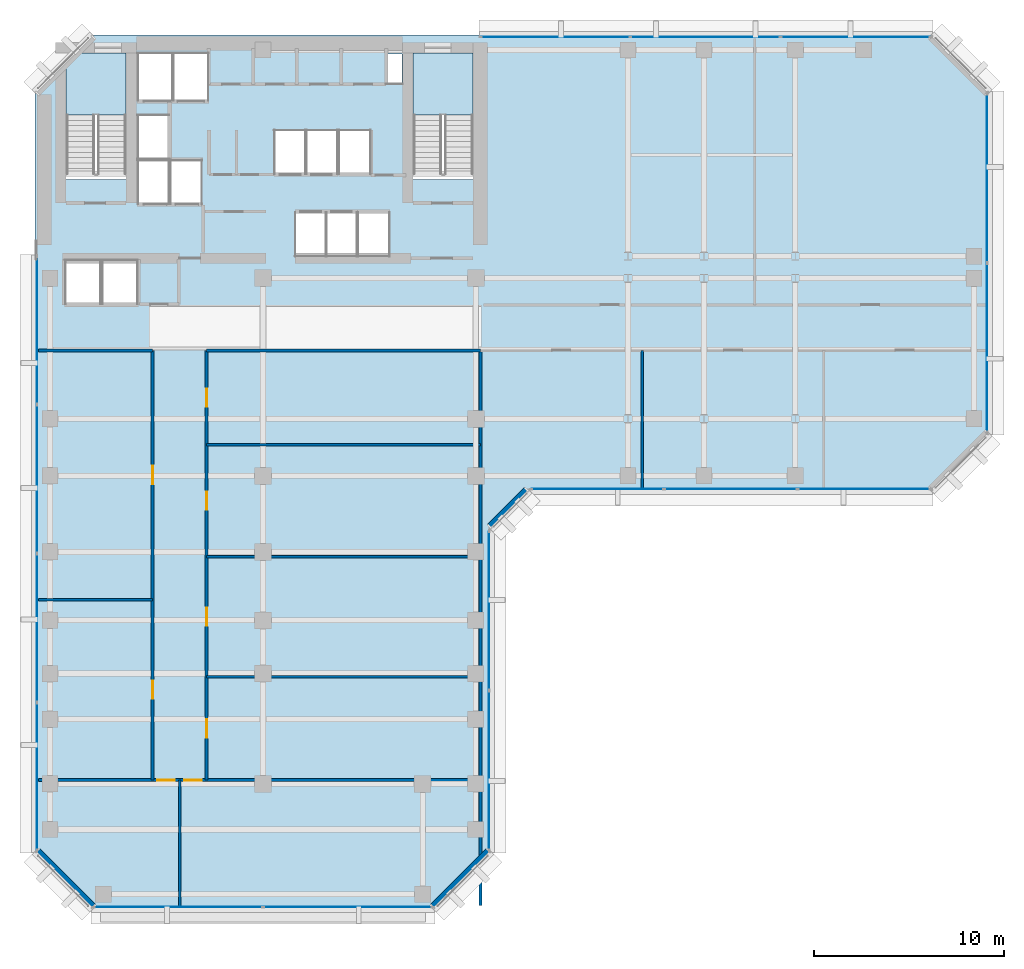
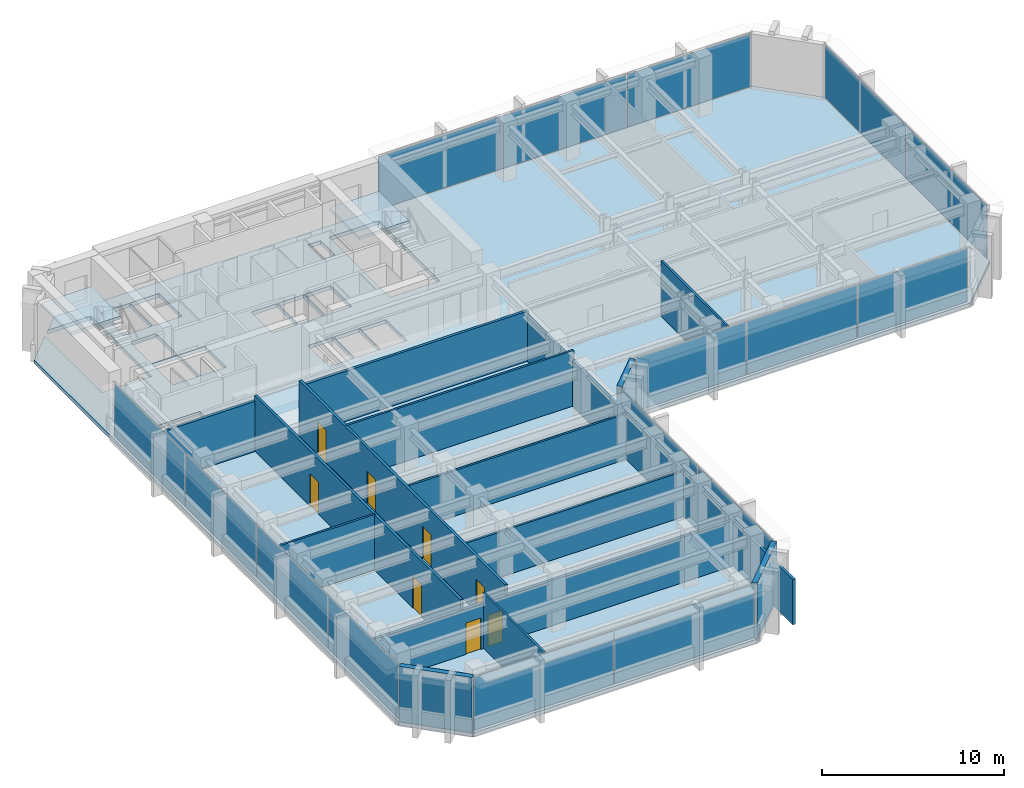
# One storey, part 6 of 11: 16 plates, 15 walls, 8 doors, 3 slabs, 8 openings, 8 elements without a shape of their own.
"""IFC4 building model written with IfcOpenShell, lengths in metres."""

from ifc_helpers import new_model, si_unit, direction, frame, frame_2d, origin, origin_2d, place, context, subcontext, project, spatial, polyline, rectangle, outline, extrude, material, layer, layer_set, type_object, element, fill, aggregate, save


model = new_model("IFC4")

# Units and contexts
model_context = context("Model", 3, precision=1e-05, world=origin(), true_north=direction((0.0, 1.0)))
body_context = subcontext(model_context, "Body", "Model", "MODEL_VIEW")
ifc_project = project(units=[si_unit("LENGTHUNIT", "METRE"), si_unit("AREAUNIT", "SQUARE_METRE"), si_unit("VOLUMEUNIT", "CUBIC_METRE"), si_unit("PLANEANGLEUNIT", "RADIAN"), si_unit("MASSUNIT", "GRAM", prefix="KILO")], contexts=[model_context])

# Site, building, storey
site_placement = place(None, origin())
site = spatial("IfcSite", under=ifc_project, at=site_placement, CompositionType="ELEMENT")
building_placement = place(site_placement, origin())
building = spatial("IfcBuilding", under=site, at=building_placement, Name="Kefirva Bronze Tower", CompositionType="ELEMENT")
storey_placement = place(building_placement, frame((0.0, 0.0, 142.889892578125)))
storey = spatial("IfcBuildingStorey", under=building, at=storey_placement, Name="L34", CompositionType="ELEMENT", Elevation=142.889892578125)

# Stair, slab
ifc_material_1 = material(Name="Concrete C40/50", Category="concrete")
stair_type = type_object("IfcStairType", Name="RC Dogleg Protected Stair 24R", PredefinedType="HALF_TURN_STAIR", material=ifc_material_1)
stair_1_placement = place(storey_placement, origin())
stair_1 = element("IfcStair", 1, at=stair_1_placement, inside=storey, type_object=stair_type, Name="L34 Protected Exit Stair 1", PredefinedType="HALF_TURN_STAIR")
ifc_layer_1 = layer(ifc_material_1, 0.199951171875, Name="Concrete C40/50")
ifc_layer_set_1 = layer_set([ifc_layer_1], Name="Concrete C40/50")
slab_type_1 = type_object("IfcSlabType", Name="RC Stair Landing Slab 200mm", PredefinedType="LANDING", material=ifc_layer_set_1)
slab_1_placement = place(storey_placement, frame((0.0, 0.0, 1.780029296875)))
slab_1 = element("IfcSlab", 2, at=slab_1_placement, type_object=slab_type_1, Name="ST-1 landing 1", PredefinedType="LANDING", context=body_context, shape_type="SweptSolid", body=[
    extrude(outline(polyline([(4.800048828125, 41.780029296875), (4.800048828125, 45.050048828125), (1.64990234375, 45.050048828125), (1.64990234375, 41.780029296875), (4.800048828125, 41.780029296875)])), origin(), (0.0, 0.0, 1.0), 0.2001953125),
])
aggregate(stair_1, [slab_1])

stair_2_placement = place(storey_placement, origin())
stair_2 = element("IfcStair", 3, at=stair_2_placement, inside=storey, type_object=stair_type, Name="L34 Protected Exit Stair 2", PredefinedType="HALF_TURN_STAIR")
slab_2_placement = place(storey_placement, frame((0.0, 0.0, 1.780029296875)))
slab_2 = element("IfcSlab", 4, at=slab_2_placement, type_object=slab_type_1, Name="ST-2 landing 1", PredefinedType="LANDING", context=body_context, shape_type="SweptSolid", body=[
    extrude(outline(polyline([(23.050048828125, 41.780029296875), (23.050048828125, 45.050048828125), (19.89990234375, 45.050048828125), (19.89990234375, 41.780029296875), (23.050048828125, 41.780029296875)])), origin(), (0.0, 0.0, 1.0), 0.2001953125),
])
aggregate(stair_2, [slab_2])

# Slab
ifc_layer_2 = layer(ifc_material_1, 0.25, Name="Concrete C40/50")
ifc_layer_set_2 = layer_set([ifc_layer_2], Name="Concrete C40/50")
slab_type_2 = type_object("IfcSlabType", Name="RC Tower Floor Slab 250mm", PredefinedType="FLOOR", material=ifc_layer_set_2)
slab_3_placement = place(storey_placement, frame((0.0, 0.0, -0.25)))
element("IfcSlab", 5, at=slab_3_placement, inside=storey, type_object=slab_type_2, Name="L34 Structural Floor Slab", PredefinedType="FLOOR", context=body_context, shape_type="SweptSolid", body=[
    extrude(outline(polyline([(0.0, 3.0), (0.0, 43.0), (1.64990234375, 44.64990234375), (1.64990234375, 38.39990234375), (4.800048828125, 38.39990234375), (4.800048828125, 45.050048828125), (2.050048828125, 45.050048828125), (3.0, 46.0), (47.199951171875, 46.0), (50.199951171875, 43.0), (50.199951171875, 25.0), (47.199951171875, 22.0), (26.0, 22.0), (24.0, 20.0), (24.0, 3.0), (21.0, 0.0), (3.0, 0.0), (0.0, 3.0)]), holes=[polyline([(23.050048828125, 38.39990234375), (23.050048828125, 45.050048828125), (19.89990234375, 45.050048828125), (19.89990234375, 38.39990234375), (23.050048828125, 38.39990234375)]), polyline([(19.320068359375, 43.419921875), (19.320068359375, 45.0), (18.52001953125, 45.0), (18.52001953125, 43.419921875), (19.320068359375, 43.419921875)]), polyline([(18.64990234375, 34.35009765625), (18.64990234375, 36.64990234375), (17.0, 36.64990234375), (17.0, 34.35009765625), (18.64990234375, 34.35009765625)]), polyline([(17.64990234375, 38.679931640625), (17.64990234375, 40.97998046875), (16.0, 40.97998046875), (16.0, 38.679931640625), (17.64990234375, 38.679931640625)]), polyline([(16.949951171875, 34.35009765625), (16.949951171875, 36.64990234375), (15.35009765625, 36.64990234375), (15.35009765625, 34.35009765625), (16.949951171875, 34.35009765625)]), polyline([(15.929931640625, 38.679931640625), (15.929931640625, 40.97998046875), (14.300048828125, 40.97998046875), (14.300048828125, 38.679931640625), (15.929931640625, 38.679931640625)]), polyline([(15.300048828125, 34.35009765625), (15.300048828125, 36.64990234375), (13.699951171875, 36.64990234375), (13.699951171875, 34.35009765625), (15.300048828125, 34.35009765625)]), polyline([(14.22998046875, 38.679931640625), (14.22998046875, 40.97998046875), (12.60009765625, 40.97998046875), (12.60009765625, 38.679931640625), (14.22998046875, 38.679931640625)]), polyline([(9.1201171875, 42.550048828125), (9.1201171875, 45.050048828125), (7.300048828125, 45.050048828125), (7.300048828125, 42.550048828125), (9.1201171875, 42.550048828125)]), polyline([(8.780029296875, 37.10009765625), (8.780029296875, 39.39990234375), (7.139892578125, 39.39990234375), (7.139892578125, 37.10009765625), (8.780029296875, 37.10009765625)]), polyline([(7.239990234375, 42.550048828125), (7.239990234375, 45.050048828125), (5.419921875, 45.050048828125), (5.419921875, 42.550048828125), (7.239990234375, 42.550048828125)]), polyline([(7.06005859375, 37.10009765625), (7.06005859375, 39.39990234375), (5.419921875, 39.39990234375), (5.419921875, 37.10009765625), (7.06005859375, 37.10009765625)]), polyline([(7.06005859375, 39.47998046875), (7.06005859375, 41.780029296875), (5.419921875, 41.780029296875), (5.419921875, 39.47998046875), (7.06005859375, 39.47998046875)]), polyline([(5.39990234375, 31.85009765625), (5.39990234375, 34.14990234375), (3.550048828125, 34.14990234375), (3.550048828125, 31.85009765625), (5.39990234375, 31.85009765625)]), polyline([(3.449951171875, 31.85009765625), (3.449951171875, 34.14990234375), (1.60009765625, 34.14990234375), (1.60009765625, 31.85009765625), (3.449951171875, 31.85009765625)])]), origin(), (0.0, 0.0, 1.0), 0.25),
])

# Curtain wall, plates
ifc_material_2 = material(Name="Bronze anodised aluminium", Category="aluminium")
ifc_layer_3 = layer(ifc_material_2, 0.199951171875, Name="Bronze anodised aluminium")
ifc_layer_set_3 = layer_set([ifc_layer_3], Name="Bronze anodised aluminium")
curtain_wall_type = type_object("IfcCurtainWallType", Name="Unitised Bronze Ribbon Curtain Wall Zone 2", PredefinedType="USERDEFINED", material=ifc_layer_set_3)
curtain_wall_1_placement = place(storey_placement, origin())
curtain_wall_1 = element("IfcCurtainWall", 6, at=curtain_wall_1_placement, inside=storey, type_object=curtain_wall_type, Name="L34 Curtain Wall 1", ObjectType="UNITISED CURTAIN WALL", PredefinedType="USERDEFINED")
ifc_material_3 = material(Name="Laminated low-E double glazing", Category="glass")
ifc_layer_4 = layer(ifc_material_3, 0.031982421875, Name="Laminated low-E double glazing")
ifc_layer_set_4 = layer_set([ifc_layer_4], Name="Laminated low-E double glazing")
plate_type = type_object("IfcPlateType", Name="Solar-Control Low-E Vision Panel 32mm", PredefinedType="CURTAIN_PANEL", material=ifc_layer_set_4)
plate_1_placement = place(storey_placement, frame((7.546142578125, 0.1201171875, 0.0751953125), z_axis=(0.0, 0.0, 1.0), x_axis=(1.0, 0.0, 0.0)))
plate_1 = element("IfcPlate", 7, at=plate_1_placement, type_object=plate_type, Name="CW-02 panel 1.1", PredefinedType="CURTAIN_PANEL", context=body_context, shape_type="SweptSolid", body=[
    extrude(rectangle(XDim=8.83251953125, YDim=0.031982421875, at=origin_2d()), origin(), (0.0, 0.0, 1.0), 3.56005859375),
])
plate_2_placement = place(storey_placement, frame((16.453857421875, 0.1201171875, 0.0751953125), z_axis=(0.0, 0.0, 1.0), x_axis=(1.0, 0.0, 0.0)))
plate_2 = element("IfcPlate", 8, at=plate_2_placement, type_object=plate_type, Name="CW-02 panel 2.1", PredefinedType="CURTAIN_PANEL", context=body_context, shape_type="SweptSolid", body=[
    extrude(rectangle(XDim=8.83251953125, YDim=0.031982421875, at=origin_2d()), origin(), (0.0, 0.0, 1.0), 3.56005859375),
])
aggregate(curtain_wall_1, [plate_1, plate_2])

curtain_wall_2_placement = place(storey_placement, origin())
curtain_wall_2 = element("IfcCurtainWall", 9, at=curtain_wall_2_placement, inside=storey, type_object=curtain_wall_type, Name="L34 Curtain Wall 2", ObjectType="UNITISED CURTAIN WALL", PredefinedType="USERDEFINED")
plate_3_placement = place(storey_placement, frame((23.8798828125, 7.296142578125, 0.0751953125), z_axis=(0.0, 0.0, 1.0), x_axis=(0.0, 1.0, 0.0)))
plate_3 = element("IfcPlate", 10, at=plate_3_placement, type_object=plate_type, Name="CW-02 panel 1.1", PredefinedType="CURTAIN_PANEL", context=body_context, shape_type="SweptSolid", body=[
    extrude(rectangle(XDim=8.33251953125, YDim=0.031982421875, at=origin_2d()), origin(), (0.0, 0.0, 1.0), 3.56005859375),
])
plate_4_placement = place(storey_placement, frame((23.8798828125, 15.703857421875, 0.0751953125), z_axis=(0.0, 0.0, 1.0), x_axis=(0.0, 1.0, 0.0)))
plate_4 = element("IfcPlate", 11, at=plate_4_placement, type_object=plate_type, Name="CW-02 panel 2.1", PredefinedType="CURTAIN_PANEL", context=body_context, shape_type="SweptSolid", body=[
    extrude(rectangle(XDim=8.33251953125, YDim=0.031982421875, at=origin_2d()), origin(), (0.0, 0.0, 1.0), 3.56005859375),
])
aggregate(curtain_wall_2, [plate_3, plate_4])

curtain_wall_3_placement = place(storey_placement, origin())
curtain_wall_3 = element("IfcCurtainWall", 12, at=curtain_wall_3_placement, inside=storey, type_object=curtain_wall_type, Name="L34 Curtain Wall 3", ObjectType="UNITISED CURTAIN WALL", PredefinedType="USERDEFINED")
plate_5_placement = place(storey_placement, frame((29.5888671875, 22.1201171875, 0.0751953125), z_axis=(0.0, 0.0, 1.0), x_axis=(1.0, 0.0, 0.0)))
plate_5 = element("IfcPlate", 13, at=plate_5_placement, type_object=plate_type, Name="CW-02 panel 1.1", PredefinedType="CURTAIN_PANEL", context=body_context, shape_type="SweptSolid", body=[
    extrude(rectangle(XDim=6.91748046875, YDim=0.031982421875, at=origin_2d()), origin(), (0.0, 0.0, 1.0), 3.56005859375),
])
plate_6_placement = place(storey_placement, frame((36.60009765625, 22.1201171875, 0.0751953125), z_axis=(0.0, 0.0, 1.0), x_axis=(1.0, 0.0, 0.0)))
plate_6 = element("IfcPlate", 14, at=plate_6_placement, type_object=plate_type, Name="CW-02 panel 2.1", PredefinedType="CURTAIN_PANEL", context=body_context, shape_type="SweptSolid", body=[
    extrude(rectangle(XDim=6.955078125, YDim=0.031982421875, at=origin_2d()), origin(), (0.0, 0.0, 1.0), 3.56005859375),
])
plate_7_placement = place(storey_placement, frame((43.611328125, 22.1201171875, 0.0751953125), z_axis=(0.0, 0.0, 1.0), x_axis=(1.0, 0.0, 0.0)))
plate_7 = element("IfcPlate", 15, at=plate_7_placement, type_object=plate_type, Name="CW-02 panel 3.1", PredefinedType="CURTAIN_PANEL", context=body_context, shape_type="SweptSolid", body=[
    extrude(rectangle(XDim=6.91748046875, YDim=0.031982421875, at=origin_2d()), origin(), (0.0, 0.0, 1.0), 3.56005859375),
])
aggregate(curtain_wall_3, [plate_5, plate_6, plate_7])

curtain_wall_4_placement = place(storey_placement, origin())
curtain_wall_4 = element("IfcCurtainWall", 16, at=curtain_wall_4_placement, inside=storey, type_object=curtain_wall_type, Name="L34 Curtain Wall 4", ObjectType="UNITISED CURTAIN WALL", PredefinedType="USERDEFINED")
plate_8_placement = place(storey_placement, frame((50.080078125, 29.546142578125, 0.0751953125), z_axis=(0.0, 0.0, 1.0), x_axis=(0.0, 1.0, 0.0)))
plate_8 = element("IfcPlate", 17, at=plate_8_placement, type_object=plate_type, Name="CW-02 panel 1.1", PredefinedType="CURTAIN_PANEL", context=body_context, shape_type="SweptSolid", body=[
    extrude(rectangle(XDim=8.83251953125, YDim=0.031982421875, at=origin_2d()), origin(), (0.0, 0.0, 1.0), 3.56005859375),
])
plate_9_placement = place(storey_placement, frame((50.080078125, 38.453857421875, 0.0751953125), z_axis=(0.0, 0.0, 1.0), x_axis=(0.0, 1.0, 0.0)))
plate_9 = element("IfcPlate", 18, at=plate_9_placement, type_object=plate_type, Name="CW-02 panel 2.1", PredefinedType="CURTAIN_PANEL", context=body_context, shape_type="SweptSolid", body=[
    extrude(rectangle(XDim=8.83251953125, YDim=0.031982421875, at=origin_2d()), origin(), (0.0, 0.0, 1.0), 3.56005859375),
])
aggregate(curtain_wall_4, [plate_8, plate_9])

curtain_wall_5_placement = place(storey_placement, origin())
curtain_wall_5 = element("IfcCurtainWall", 19, at=curtain_wall_5_placement, inside=storey, type_object=curtain_wall_type, Name="L34 Curtain Wall 5", ObjectType="UNITISED CURTAIN WALL", PredefinedType="USERDEFINED")
plate_10_placement = place(storey_placement, frame((43.169677734375, 45.8798828125, 0.0751953125), z_axis=(0.0, 0.0, 1.0), x_axis=(-1.0, 0.0, 0.0)))
plate_10 = element("IfcPlate", 20, at=plate_10_placement, type_object=plate_type, Name="CW-02 panel 1.1", PredefinedType="CURTAIN_PANEL", context=body_context, shape_type="SweptSolid", body=[
    extrude(rectangle(XDim=7.80078125, YDim=0.031982421875, at=origin_2d()), origin(), (0.0, 0.0, 1.0), 3.56005859375),
])
plate_11_placement = place(storey_placement, frame((35.27490234375, 45.8798828125, 0.0751953125), z_axis=(0.0, 0.0, 1.0), x_axis=(-1.0, 0.0, 0.0)))
plate_11 = element("IfcPlate", 21, at=plate_11_placement, type_object=plate_type, Name="CW-02 panel 2.1", PredefinedType="CURTAIN_PANEL", context=body_context, shape_type="SweptSolid", body=[
    extrude(rectangle(XDim=7.83837890625, YDim=0.031982421875, at=origin_2d()), origin(), (0.0, 0.0, 1.0), 3.56005859375),
])
plate_12_placement = place(storey_placement, frame((27.38037109375, 45.8798828125, 0.0751953125), z_axis=(0.0, 0.0, 1.0), x_axis=(-1.0, 0.0, 0.0)))
plate_12 = element("IfcPlate", 22, at=plate_12_placement, type_object=plate_type, Name="CW-02 panel 3.1", PredefinedType="CURTAIN_PANEL", context=body_context, shape_type="SweptSolid", body=[
    extrude(rectangle(XDim=7.80078125, YDim=0.031982421875, at=origin_2d()), origin(), (0.0, 0.0, 1.0), 3.56005859375),
])
aggregate(curtain_wall_5, [plate_10, plate_11, plate_12])

curtain_wall_6_placement = place(storey_placement, origin())
curtain_wall_6 = element("IfcCurtainWall", 23, at=curtain_wall_6_placement, inside=storey, type_object=curtain_wall_type, Name="L34 Curtain Wall 6", ObjectType="UNITISED CURTAIN WALL", PredefinedType="USERDEFINED")
plate_13_placement = place(storey_placement, frame((0.1201171875, 30.458740234375, 0.0751953125), z_axis=(0.0, 0.0, 1.0), x_axis=(0.0, -1.0, 0.0)))
plate_13 = element("IfcPlate", 24, at=plate_13_placement, type_object=plate_type, Name="CW-02 panel 1.1", PredefinedType="CURTAIN_PANEL", context=body_context, shape_type="SweptSolid", body=[
    extrude(rectangle(XDim=7.722412109375, YDim=0.031982421875, at=origin_2d()), origin(), (0.0, 0.0, 1.0), 3.56005859375),
])
plate_14_placement = place(storey_placement, frame((0.1201171875, 22.642578125, 0.0751953125), z_axis=(0.0, 0.0, 1.0), x_axis=(0.0, -1.0, 0.0)))
plate_14 = element("IfcPlate", 25, at=plate_14_placement, type_object=plate_type, Name="CW-02 panel 2.1", PredefinedType="CURTAIN_PANEL", context=body_context, shape_type="SweptSolid", body=[
    extrude(rectangle(XDim=7.760009765625, YDim=0.031982421875, at=origin_2d()), origin(), (0.0, 0.0, 1.0), 3.56005859375),
])
plate_15_placement = place(storey_placement, frame((0.1201171875, 14.8076171875, 0.0751953125), z_axis=(0.0, 0.0, 1.0), x_axis=(0.0, -1.0, 0.0)))
plate_15 = element("IfcPlate", 26, at=plate_15_placement, type_object=plate_type, Name="CW-02 panel 3.1", PredefinedType="CURTAIN_PANEL", context=body_context, shape_type="SweptSolid", body=[
    extrude(rectangle(XDim=7.760009765625, YDim=0.031982421875, at=origin_2d()), origin(), (0.0, 0.0, 1.0), 3.56005859375),
])
plate_16_placement = place(storey_placement, frame((0.1201171875, 6.9912109375, 0.0751953125), z_axis=(0.0, 0.0, 1.0), x_axis=(0.0, -1.0, 0.0)))
plate_16 = element("IfcPlate", 27, at=plate_16_placement, type_object=plate_type, Name="CW-02 panel 4.1", PredefinedType="CURTAIN_PANEL", context=body_context, shape_type="SweptSolid", body=[
    extrude(rectangle(XDim=7.722412109375, YDim=0.031982421875, at=origin_2d()), origin(), (0.0, 0.0, 1.0), 3.56005859375),
])
aggregate(curtain_wall_6, [plate_13, plate_14, plate_15, plate_16])

# Walls
ifc_material_4 = material(Name="Gypsum acoustic partition")
ifc_layer_5 = layer(ifc_material_4, 0.1298828125, Name="Gypsum acoustic partition")
ifc_layer_set_5 = layer_set([ifc_layer_5], Name="Gypsum acoustic partition")
wall_type_1 = type_object("IfcWallType", Name="Acoustic Office Partition 130mm", PredefinedType="PARTITIONING", material=ifc_layer_set_5)
wall_1_placement = place(storey_placement, frame((7.6201171875, 0.18994140625, 0.0), z_axis=(0.0, 0.0, 1.0), x_axis=(0.0, 1.0, 0.0)))
element("IfcWall", 28, at=wall_1_placement, inside=storey, type_object=wall_type_1, Name="L34 Partition W-L34-CAPDV", PredefinedType="PARTITIONING", context=body_context, shape_type="SweptSolid", body=[
    extrude(rectangle(XDim=6.610107421875, YDim=0.1298828125, at=frame_2d((3.30517578125, 0.0))), origin(), (0.0, 0.0, 1.0), 3.710205078125),
])
wall_2_placement = place(storey_placement, frame((0.18994140625, 16.2919921875, 0.0), z_axis=(0.0, 0.0, 1.0), x_axis=(1.0, 0.0, 0.0)))
element("IfcWall", 29, at=wall_2_placement, inside=storey, type_object=wall_type_1, Name="L34 Partition W-L34-SWD1", PredefinedType="PARTITIONING", context=body_context, shape_type="SweptSolid", body=[
    extrude(rectangle(XDim=6.010009765625, YDim=0.1298828125, at=frame_2d((3.0048828125, 0.0))), origin(), (0.0, 0.0, 1.0), 3.710205078125),
])
for number, where, z_axis, x_axis, name in (
    (30, (9.0400390625, 12.22412109375, 0.0), (0.0, 0.0, 1.0), (1.0, 0.0, 0.0), "L34 Partition W-L34-SED1"),
    (31, (9.0400390625, 18.552001953125, 0.0), (0.0, 0.0, 1.0), (1.0, 0.0, 0.0), "L34 Partition W-L34-SED2"),
):
    element("IfcWall", number, at=place(storey_placement, frame(where, z_axis=z_axis, x_axis=x_axis)), inside=storey, type_object=wall_type_1, Name=name, PredefinedType="PARTITIONING", context=body_context, shape_type="SweptSolid", body=[
        extrude(rectangle(XDim=14.409912109375, YDim=0.1298828125, at=frame_2d((7.205078125, 0.0))), origin(), (0.0, 0.0, 1.0), 3.045166015625),
    ])
wall_3_placement = place(storey_placement, frame((9.0400390625, 24.427978515625, 0.0), z_axis=(0.0, 0.0, 1.0), x_axis=(1.0, 0.0, 0.0)))
element("IfcWall", 32, at=wall_3_placement, inside=storey, type_object=wall_type_1, Name="L34 Partition W-L34-SED3", PredefinedType="PARTITIONING", context=body_context, shape_type="SweptSolid", body=[
    extrude(rectangle(XDim=14.409912109375, YDim=0.1298828125, at=frame_2d((7.205078125, 0.0))), origin(), (0.0, 0.0, 1.0), 3.710205078125),
])
wall_4_placement = place(storey_placement, frame((31.94921875, 22.18994140625, 0.0), z_axis=(0.0, 0.0, 1.0), x_axis=(0.0, 1.0, 0.0)))
element("IfcWall", 33, at=wall_4_placement, inside=storey, type_object=wall_type_1, Name="L34 Partition W-L34-ESD1", PredefinedType="PARTITIONING", context=body_context, shape_type="SweptSolid", body=[
    extrude(rectangle(XDim=7.2099609375, YDim=0.1298828125, at=frame_2d((3.60498046875, 0.0))), origin(), (0.0, 0.0, 1.0), 3.710205078125),
])
ifc_material_5 = material(Name="Precast concrete C40/50", Category="concrete")
ifc_layer_6 = layer(ifc_material_5, 0.320068359375, Name="Precast concrete C40/50")
ifc_layer_set_6 = layer_set([ifc_layer_6], Name="Precast concrete C40/50")
wall_type_2 = type_object("IfcWallType", Name="Precast Insulated Exterior Wall 320mm", PredefinedType="SOLIDWALL", material=ifc_layer_set_6)
wall_5_placement = place(storey_placement, frame((20.92578125, 0.152099609375, 0.0), z_axis=(0.0, 0.0, 1.0), x_axis=(0.707106781187, 0.707106781187, 0.0)))
element("IfcWall", 34, at=wall_5_placement, inside=storey, type_object=wall_type_2, Name="L34 Exterior Facade Wall 1", PredefinedType="SOLIDWALL", context=body_context, shape_type="SweptSolid", body=[
    extrude(rectangle(XDim=4.132568359375, YDim=0.320068359375, at=frame_2d((2.06640625, 0.0))), origin(), (0.0, 0.0, 1.0), 3.710205078125),
])
wall_6_placement = place(storey_placement, frame((23.92578125, 20.152099609375, 0.0), z_axis=(0.0, 0.0, 1.0), x_axis=(0.707106781187, 0.707106781187, 0.0)))
element("IfcWall", 35, at=wall_6_placement, inside=storey, type_object=wall_type_2, Name="L34 Exterior Facade Wall 2", PredefinedType="SOLIDWALL", context=body_context, shape_type="SweptSolid", body=[
    extrude(rectangle(XDim=2.71826171875, YDim=0.320068359375, at=frame_2d((1.359130859375, 0.0))), origin(), (0.0, 0.0, 1.0), 3.710205078125),
])
wall_7_placement = place(storey_placement, frame((0.152099609375, 3.07421875, 0.0), z_axis=(0.0, 0.0, 1.0), x_axis=(0.707106781187, -0.707106781187, 0.0)))
element("IfcWall", 36, at=wall_7_placement, inside=storey, type_object=wall_type_2, Name="L34 Exterior Facade Wall 6", PredefinedType="SOLIDWALL", context=body_context, shape_type="SweptSolid", body=[
    extrude(rectangle(XDim=4.132568359375, YDim=0.320068359375, at=frame_2d((2.06640625, 0.0))), origin(), (0.0, 0.0, 1.0), 3.710205078125),
])

# Wall, openings, doors
ifc_layer_7 = layer(ifc_material_4, 0.159912109375, Name="Gypsum acoustic partition")
ifc_layer_set_7 = layer_set([ifc_layer_7], Name="Gypsum acoustic partition")
wall_type_3 = type_object("IfcWallType", Name="Protected Corridor Partition 160mm", PredefinedType="PARTITIONING", material=ifc_layer_set_7)
wall_8_placement = place(storey_placement, frame((6.199951171875, 6.800048828125, 0.0), z_axis=(0.0, 0.0, 1.0), x_axis=(0.0, 1.0, 0.0)))
wall_8 = element("IfcWall", 37, at=wall_8_placement, inside=storey, type_object=wall_type_3, Name="L34 Partition W-L34-SWCORW", PredefinedType="PARTITIONING", context=body_context, shape_type="SweptSolid", body=[
    extrude(rectangle(XDim=22.599853515625, YDim=0.159912109375, at=frame_2d((11.2998046875, 0.0))), origin(), (0.0, 0.0, 1.0), 3.710205078125),
])
opening_1_placement = place(wall_8_placement, frame((5.220947265625, 0.0, 0.0), z_axis=(0.0, 0.0, 1.0), x_axis=(-1.0, 0.0, 0.0)))
opening_1 = element("IfcOpeningElement", 38, at=opening_1_placement, cuts=wall_8, Name="Opening L34-D-SW1", PredefinedType="OPENING", context=body_context, shape_type="SweptSolid", body=[
    extrude(rectangle(XDim=0.949951171875, YDim=2.14990234375, at=frame_2d((0.47509765625, 1.074951171875))), frame((0.0, 0.08984375, 0.0), z_axis=(0.0, -1.0, 0.0), x_axis=(1.0, 0.0, 0.0)), (0.0, 0.0, 1.0), 0.179931640625),
])
opening_2_placement = place(wall_8_placement, frame((16.52099609375, 0.0, 0.0), z_axis=(0.0, 0.0, 1.0), x_axis=(-1.0, 0.0, 0.0)))
opening_2 = element("IfcOpeningElement", 39, at=opening_2_placement, cuts=wall_8, Name="Opening L34-D-SW2", PredefinedType="OPENING", context=body_context, shape_type="SweptSolid", body=[
    extrude(rectangle(XDim=0.949951171875, YDim=2.14990234375, at=frame_2d((0.47509765625, 1.074951171875))), frame((0.0, 0.08984375, 0.0), z_axis=(0.0, -1.0, 0.0), x_axis=(1.0, 0.0, 0.0)), (0.0, 0.0, 1.0), 0.179931640625),
])
ifc_material_6 = material(Name="Acoustic hardwood oak", Category="wood")
door_type_1 = type_object("IfcDoorType", Name="Office & Meeting Room Door 950x2150", OperationType="NOTDEFINED", PredefinedType="DOOR", material=ifc_material_6)
door_1_placement = place(opening_1_placement, origin())
door_1 = element("IfcDoor", 40, at=door_1_placement, inside=storey, type_object=door_type_1, Name="Door L34-D-SW1", OperationType="SINGLE_SWING_LEFT", OverallHeight=2.14990234375, OverallWidth=0.949951171875, PredefinedType="DOOR", context=body_context, shape_type="SweptSolid", body=[
    extrude(rectangle(XDim=0.949951171875, YDim=2.14990234375, at=frame_2d((0.47509765625, 1.074951171875))), frame((0.0, 0.02490234375, 0.0), z_axis=(0.0, -1.0, 0.0), x_axis=(1.0, 0.0, 0.0)), (0.0, 0.0, 1.0), 0.050048828125),
])
fill(opening_1, door_1)
door_2_placement = place(opening_2_placement, origin())
door_2 = element("IfcDoor", 41, at=door_2_placement, inside=storey, type_object=door_type_1, Name="Door L34-D-SW2", OperationType="SINGLE_SWING_RIGHT", OverallHeight=2.14990234375, OverallWidth=0.949951171875, PredefinedType="DOOR", context=body_context, shape_type="SweptSolid", body=[
    extrude(rectangle(XDim=0.949951171875, YDim=2.14990234375, at=frame_2d((0.47509765625, 1.074951171875))), frame((0.0, 0.02490234375, 0.0), z_axis=(0.0, -1.0, 0.0), x_axis=(1.0, 0.0, 0.0)), (0.0, 0.0, 1.0), 0.050048828125),
])
fill(opening_2, door_2)

wall_9_placement = place(storey_placement, frame((9.0400390625, 6.800048828125, 0.0), z_axis=(0.0, 0.0, 1.0), x_axis=(0.0, 1.0, 0.0)))
wall_9 = element("IfcWall", 42, at=wall_9_placement, inside=storey, type_object=wall_type_3, Name="L34 Partition W-L34-SECORE", PredefinedType="PARTITIONING", context=body_context, shape_type="SweptSolid", body=[
    extrude(rectangle(XDim=22.599853515625, YDim=0.159912109375, at=frame_2d((11.2998046875, 0.0))), origin(), (0.0, 0.0, 1.0), 3.710205078125),
])
opening_3_placement = place(wall_9_placement, frame((2.237060546875, 0.0, 0.0)))
opening_3 = element("IfcOpeningElement", 43, at=opening_3_placement, cuts=wall_9, Name="Opening L34-D-SE1", PredefinedType="OPENING", context=body_context, shape_type="SweptSolid", body=[
    extrude(rectangle(XDim=0.949951171875, YDim=2.14990234375, at=frame_2d((0.47509765625, 1.074951171875))), frame((0.0, 0.08984375, 0.0), z_axis=(0.0, -1.0, 0.0), x_axis=(1.0, 0.0, 0.0)), (0.0, 0.0, 1.0), 0.179931640625),
])
opening_4_placement = place(wall_9_placement, frame((8.113037109375, 0.0, 0.0)))
opening_4 = element("IfcOpeningElement", 44, at=opening_4_placement, cuts=wall_9, Name="Opening L34-D-SE2", PredefinedType="OPENING", context=body_context, shape_type="SweptSolid", body=[
    extrude(rectangle(XDim=0.949951171875, YDim=2.14990234375, at=frame_2d((0.47509765625, 1.074951171875))), frame((0.0, 0.08984375, 0.0), z_axis=(0.0, -1.0, 0.0), x_axis=(1.0, 0.0, 0.0)), (0.0, 0.0, 1.0), 0.179931640625),
])
opening_5_placement = place(wall_9_placement, frame((14.215087890625, 0.0, 0.0)))
opening_5 = element("IfcOpeningElement", 45, at=opening_5_placement, cuts=wall_9, Name="Opening L34-D-SE3", PredefinedType="OPENING", context=body_context, shape_type="SweptSolid", body=[
    extrude(rectangle(XDim=0.949951171875, YDim=2.14990234375, at=frame_2d((0.47509765625, 1.074951171875))), frame((0.0, 0.08984375, 0.0), z_axis=(0.0, -1.0, 0.0), x_axis=(1.0, 0.0, 0.0)), (0.0, 0.0, 1.0), 0.179931640625),
])
opening_6_placement = place(wall_9_placement, frame((19.638916015625, 0.0, 0.0)))
opening_6 = element("IfcOpeningElement", 46, at=opening_6_placement, cuts=wall_9, Name="Opening L34-D-SE4", PredefinedType="OPENING", context=body_context, shape_type="SweptSolid", body=[
    extrude(rectangle(XDim=0.949951171875, YDim=2.14990234375, at=frame_2d((0.47509765625, 1.074951171875))), frame((0.0, 0.08984375, 0.0), z_axis=(0.0, -1.0, 0.0), x_axis=(1.0, 0.0, 0.0)), (0.0, 0.0, 1.0), 0.179931640625),
])
door_3_placement = place(opening_3_placement, origin())
door_3 = element("IfcDoor", 47, at=door_3_placement, inside=storey, type_object=door_type_1, Name="Door L34-D-SE1", OperationType="SINGLE_SWING_LEFT", OverallHeight=2.14990234375, OverallWidth=0.949951171875, PredefinedType="DOOR", context=body_context, shape_type="SweptSolid", body=[
    extrude(rectangle(XDim=0.949951171875, YDim=2.14990234375, at=frame_2d((0.47509765625, 1.074951171875))), frame((0.0, 0.02490234375, 0.0), z_axis=(0.0, -1.0, 0.0), x_axis=(1.0, 0.0, 0.0)), (0.0, 0.0, 1.0), 0.050048828125),
])
fill(opening_3, door_3)
door_4_placement = place(opening_4_placement, origin())
door_4 = element("IfcDoor", 48, at=door_4_placement, inside=storey, type_object=door_type_1, Name="Door L34-D-SE2", OperationType="SINGLE_SWING_RIGHT", OverallHeight=2.14990234375, OverallWidth=0.949951171875, PredefinedType="DOOR", context=body_context, shape_type="SweptSolid", body=[
    extrude(rectangle(XDim=0.949951171875, YDim=2.14990234375, at=frame_2d((0.47509765625, 1.074951171875))), frame((0.0, 0.02490234375, 0.0), z_axis=(0.0, -1.0, 0.0), x_axis=(1.0, 0.0, 0.0)), (0.0, 0.0, 1.0), 0.050048828125),
])
fill(opening_4, door_4)
door_5_placement = place(opening_5_placement, origin())
door_5 = element("IfcDoor", 49, at=door_5_placement, inside=storey, type_object=door_type_1, Name="Door L34-D-SE3", OperationType="SINGLE_SWING_LEFT", OverallHeight=2.14990234375, OverallWidth=0.949951171875, PredefinedType="DOOR", context=body_context, shape_type="SweptSolid", body=[
    extrude(rectangle(XDim=0.949951171875, YDim=2.14990234375, at=frame_2d((0.47509765625, 1.074951171875))), frame((0.0, 0.02490234375, 0.0), z_axis=(0.0, -1.0, 0.0), x_axis=(1.0, 0.0, 0.0)), (0.0, 0.0, 1.0), 0.050048828125),
])
fill(opening_5, door_5)
door_6_placement = place(opening_6_placement, origin())
door_6 = element("IfcDoor", 50, at=door_6_placement, inside=storey, type_object=door_type_1, Name="Door L34-D-SE4", OperationType="SINGLE_SWING_RIGHT", OverallHeight=2.14990234375, OverallWidth=0.949951171875, PredefinedType="DOOR", context=body_context, shape_type="SweptSolid", body=[
    extrude(rectangle(XDim=0.949951171875, YDim=2.14990234375, at=frame_2d((0.47509765625, 1.074951171875))), frame((0.0, 0.02490234375, 0.0), z_axis=(0.0, -1.0, 0.0), x_axis=(1.0, 0.0, 0.0)), (0.0, 0.0, 1.0), 0.050048828125),
])
fill(opening_6, door_6)

wall_10_placement = place(storey_placement, frame((0.18994140625, 6.800048828125, 0.0), z_axis=(0.0, 0.0, 1.0), x_axis=(1.0, 0.0, 0.0)))
wall_10 = element("IfcWall", 51, at=wall_10_placement, inside=storey, type_object=wall_type_3, Name="L34 Partition W-L34-SBEND", PredefinedType="PARTITIONING", context=body_context, shape_type="SweptSolid", body=[
    extrude(rectangle(XDim=23.260009765625, YDim=0.159912109375, at=frame_2d((11.6298828125, 0.0))), origin(), (0.0, 0.0, 1.0), 3.045166015625),
])
opening_7_placement = place(wall_10_placement, frame((6.260009765625, 0.0, 0.0)))
opening_7 = element("IfcOpeningElement", 52, at=opening_7_placement, cuts=wall_10, Name="Opening L34-D-SEND1", PredefinedType="OPENING", context=body_context, shape_type="SweptSolid", body=[
    extrude(rectangle(XDim=0.919921875, YDim=2.10009765625, at=frame_2d((0.4599609375, 1.050048828125))), frame((0.0, 0.08984375, 0.0), z_axis=(0.0, -1.0, 0.0), x_axis=(1.0, 0.0, 0.0)), (0.0, 0.0, 1.0), 0.179931640625),
])
opening_8_placement = place(wall_10_placement, frame((7.679931640625, 0.0, 0.0)))
opening_8 = element("IfcOpeningElement", 53, at=opening_8_placement, cuts=wall_10, Name="Opening L34-D-SEND2", PredefinedType="OPENING", context=body_context, shape_type="SweptSolid", body=[
    extrude(rectangle(XDim=0.919921875, YDim=2.10009765625, at=frame_2d((0.4599609375, 1.050048828125))), frame((0.0, 0.08984375, 0.0), z_axis=(0.0, -1.0, 0.0), x_axis=(1.0, 0.0, 0.0)), (0.0, 0.0, 1.0), 0.179931640625),
])
ifc_material_7 = material(Name="Moisture-resistant timber", Category="wood")
door_type_2 = type_object("IfcDoorType", Name="Accessible Sanitary & WC Door 920x2100", OperationType="NOTDEFINED", PredefinedType="DOOR", material=ifc_material_7)
door_7_placement = place(opening_7_placement, origin())
door_7 = element("IfcDoor", 54, at=door_7_placement, inside=storey, type_object=door_type_2, Name="Door L34-D-SEND1", OperationType="SINGLE_SWING_LEFT", OverallHeight=2.10009765625, OverallWidth=0.919921875, PredefinedType="DOOR", context=body_context, shape_type="SweptSolid", body=[
    extrude(rectangle(XDim=0.919921875, YDim=2.10009765625, at=frame_2d((0.4599609375, 1.050048828125))), frame((0.0, 0.02490234375, 0.0), z_axis=(0.0, -1.0, 0.0), x_axis=(1.0, 0.0, 0.0)), (0.0, 0.0, 1.0), 0.050048828125),
])
fill(opening_7, door_7)
door_8_placement = place(opening_8_placement, origin())
door_8 = element("IfcDoor", 55, at=door_8_placement, inside=storey, type_object=door_type_2, Name="Door L34-D-SEND2", OperationType="SINGLE_SWING_RIGHT", OverallHeight=2.10009765625, OverallWidth=0.919921875, PredefinedType="DOOR", context=body_context, shape_type="SweptSolid", body=[
    extrude(rectangle(XDim=0.919921875, YDim=2.10009765625, at=frame_2d((0.4599609375, 1.050048828125))), frame((0.0, 0.02490234375, 0.0), z_axis=(0.0, -1.0, 0.0), x_axis=(1.0, 0.0, 0.0)), (0.0, 0.0, 1.0), 0.050048828125),
])
fill(opening_8, door_8)

# Walls
wall_11_placement = place(storey_placement, frame((0.18994140625, 29.39990234375, 0.0), z_axis=(0.0, 0.0, 1.0), x_axis=(1.0, 0.0, 0.0)))
element("IfcWall", 56, at=wall_11_placement, inside=storey, type_object=wall_type_3, Name="L34 Partition W-L34-NWT", PredefinedType="PARTITIONING", context=body_context, shape_type="SweptSolid", body=[
    extrude(rectangle(XDim=6.010009765625, YDim=0.159912109375, at=frame_2d((3.0048828125, 0.0))), origin(), (0.0, 0.0, 1.0), 3.364990234375),
])
wall_12_placement = place(storey_placement, frame((9.0400390625, 29.39990234375, 0.0), z_axis=(0.0, 0.0, 1.0), x_axis=(1.0, 0.0, 0.0)))
element("IfcWall", 57, at=wall_12_placement, inside=storey, type_object=wall_type_3, Name="L34 Partition W-L34-NET", PredefinedType="PARTITIONING", context=body_context, shape_type="SweptSolid", body=[
    extrude(rectangle(XDim=14.409912109375, YDim=0.159912109375, at=frame_2d((7.205078125, 0.0))), origin(), (0.0, 0.0, 1.0), 3.364990234375),
])
wall_13_placement = place(storey_placement, frame((23.449951171875, 0.18994140625, 0.0), z_axis=(0.0, 0.0, 1.0), x_axis=(0.0, 1.0, 0.0)))
element("IfcWall", 58, at=wall_13_placement, inside=storey, type_object=wall_type_3, Name="L34 Partition W-L34-SWEAST", PredefinedType="PARTITIONING", context=body_context, shape_type="SweptSolid", body=[
    extrude(rectangle(XDim=29.2099609375, YDim=0.159912109375, at=frame_2d((14.60498046875, 0.0))), origin(), (0.0, 0.0, 1.0), 3.045166015625),
])

save(model, "model.ifc")
